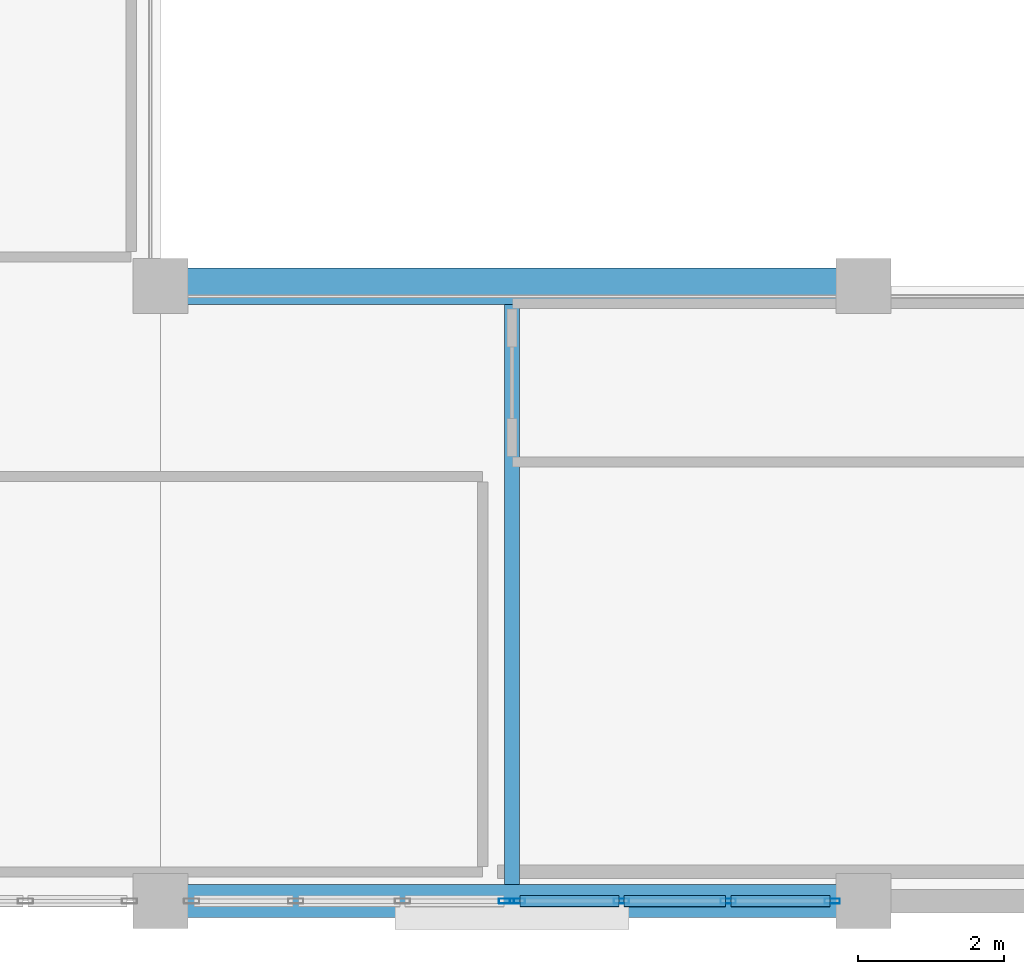
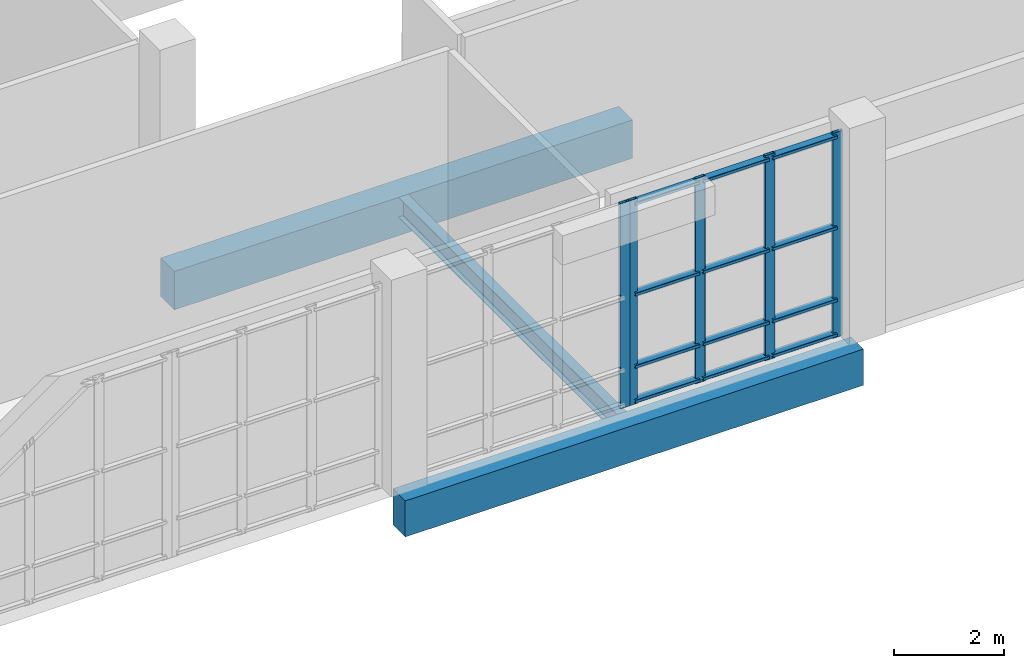
# One storey, part 43 of 106: 17 members, 3 beams, 2 elements without a shape of their own.
"""IFC4 building model written with IfcOpenShell, lengths in metres."""

import ifcopenshell
import ifcopenshell.guid

model = None  # the IFC model being written
_history = None  # IfcOwnerHistory: only IFC2X3 demands one
_inside = {}  # id of a spatial element -> (the spatial element, [elements in it])
_under = {}  # id of a project, library or spatial element -> (it, [spatial elements below it])
_declared = {}  # id of a project -> (the project, [libraries it declares])
_typed = {}  # id of a type object -> (the type object, [elements of that type])
_made_of = {}  # id of a material, layer set ... -> (it, [elements and type objects made of it])


def new_model(schema):
    """Start an empty IFC model of exactly this schema.

    Asked for "IFC4X3", IfcOpenShell would pick the latest addendum, in which some entities
    have other attributes; the version numbers below select the first issue.
    IFC2X3 requires an IfcOwnerHistory on every rooted entity: one is made here for all.
    """
    global model, _history
    if schema == "IFC4X3":
        model = ifcopenshell.file(schema_version=(4, 3, 0, 0))
    else:
        model = ifcopenshell.file(schema=schema)
    _inside.clear()
    _under.clear()
    _declared.clear()
    _typed.clear()
    _made_of.clear()
    _history = None
    if model.schema == "IFC2X3":
        org = make("IfcOrganization", Name="unknown")
        user = make(
            "IfcPersonAndOrganization",
            ThePerson=make("IfcPerson", FamilyName="unknown"),
            TheOrganization=org,
        )
        app = make(
            "IfcApplication",
            ApplicationDeveloper=org,
            Version="unknown",
            ApplicationFullName="unknown",
            ApplicationIdentifier="unknown",
        )
        _history = make(
            "IfcOwnerHistory",
            OwningUser=user,
            OwningApplication=app,
            ChangeAction="ADDED",
            CreationDate=0,
        )
    return model


def make(cls, **values):
    """One entity of the class cls with the attributes given. An attribute that is None is left unset."""
    return model.create_entity(
        cls, **{name: value for name, value in values.items() if value is not None}
    )


def rooted(cls, **values):
    """An entity with a GlobalId (a new one), such as an element, a storey or a relation."""
    return make(cls, GlobalId=ifcopenshell.guid.new(), OwnerHistory=_history, **values)


def si_unit(unit_type, name, prefix=None):
    """IfcSIUnit, for example si_unit("LENGTHUNIT", "METRE", prefix="MILLI")."""
    return make("IfcSIUnit", UnitType=unit_type, Prefix=prefix, Name=name)


def assignment(units):
    """IfcUnitAssignment: the units of a project."""
    return None if units is None else make("IfcUnitAssignment", Units=units)


def point(xyz):
    """IfcCartesianPoint."""
    return None if xyz is None else make("IfcCartesianPoint", Coordinates=xyz)


def direction(xyz):
    """IfcDirection."""
    return None if xyz is None else make("IfcDirection", DirectionRatios=xyz)


def frame(location, z_axis=None, x_axis=None):
    """IfcAxis2Placement3D, a coordinate frame: its origin and axes. An axis left out is left unset."""
    return make(
        "IfcAxis2Placement3D",
        Location=point(location),
        Axis=direction(z_axis),
        RefDirection=direction(x_axis),
    )


def frame_2d(location, x_axis=None):
    """IfcAxis2Placement2D, a coordinate frame in the plane: its origin and x axis."""
    return make(
        "IfcAxis2Placement2D", Location=point(location), RefDirection=direction(x_axis)
    )


def origin():
    """The frame at (0, 0, 0) with its axes left unset."""
    return frame((0.0, 0.0, 0.0))


def origin_2d():
    """The frame at (0, 0) in the plane with its x axis left unset."""
    return frame_2d((0.0, 0.0))


def place(relative_to, where):
    """IfcLocalPlacement: puts the frame where relative to a parent placement (None: the world)."""
    return make(
        "IfcLocalPlacement", PlacementRelTo=relative_to, RelativePlacement=where
    )


def context(
    kind, dimensions, precision=None, world=None, true_north=None, identifier=None
):
    """IfcGeometricRepresentationContext, for example the 3D "Model" context."""
    return make(
        "IfcGeometricRepresentationContext",
        ContextIdentifier=identifier,
        ContextType=kind,
        CoordinateSpaceDimension=dimensions,
        Precision=precision,
        WorldCoordinateSystem=world,
        TrueNorth=true_north,
    )


def subcontext(parent, identifier, kind, view, scale=None):
    """IfcGeometricRepresentationSubContext, for example "Body" below "Model"."""
    return make(
        "IfcGeometricRepresentationSubContext",
        ContextIdentifier=identifier,
        ContextType=kind,
        ParentContext=parent,
        TargetScale=scale,
        TargetView=view,
    )


def project(units=None, contexts=None):
    """IfcProject with its units and contexts."""
    return rooted(
        "IfcProject",
        Name="project",
        RepresentationContexts=contexts,
        UnitsInContext=assignment(units),
    )


def spatial(cls, under=None, at=None, **own):
    """A site, building, storey or space (cls), placed at a placement, below another one or the project."""
    s = rooted(cls, ObjectPlacement=at, **own)
    if under is not None:
        _under.setdefault(under.id(), (under, []))[1].append(s)
    return s


def profile(cls, at=None, kind="AREA", **sizes):
    """A parametric profile (cls). Its sizes go by their IFC names, for example OverallWidth=200.0."""
    return make(cls, ProfileType=kind, Position=at, **sizes)


def rectangle(**sizes):
    """IfcRectangleProfileDef."""
    return profile("IfcRectangleProfileDef", **sizes)


def hollow_rectangle(**sizes):
    """IfcRectangleHollowProfileDef."""
    return profile("IfcRectangleHollowProfileDef", **sizes)


def i_section(**sizes):
    """IfcIShapeProfileDef."""
    return profile("IfcIShapeProfileDef", **sizes)


def extrude(swept, where, along, depth):
    """IfcExtrudedAreaSolid: the profile swept, set in the frame where, extruded along a direction by depth."""
    return make(
        "IfcExtrudedAreaSolid",
        SweptArea=swept,
        Position=where,
        ExtrudedDirection=direction(along),
        Depth=depth,
    )


def shape(context_of_items, identifier, shape_type, items):
    """IfcShapeRepresentation: the items that make up one representation, for example the "Body"."""
    return make(
        "IfcShapeRepresentation",
        ContextOfItems=context_of_items,
        RepresentationIdentifier=identifier,
        RepresentationType=shape_type,
        Items=items,
    )


def material(Name=None, Category=None):
    """IfcMaterial."""
    return make("IfcMaterial", Name=Name, Category=Category)


def layer(
    of_material, thickness, ventilated=None, Name=None, Category=None, Priority=None
):
    """IfcMaterialLayer: one layer of a wall or slab, of a material (None: an air gap)."""
    return make(
        "IfcMaterialLayer",
        Material=of_material,
        LayerThickness=thickness,
        IsVentilated=ventilated,
        Name=Name,
        Category=Category,
        Priority=Priority,
    )


def layer_set(layers, Name=None):
    """IfcMaterialLayerSet."""
    return make("IfcMaterialLayerSet", MaterialLayers=layers, LayerSetName=Name)


def material_profile(
    of_material, cross_section, Name=None, Category=None, Priority=None
):
    """IfcMaterialProfile: a cross section and its material."""
    return make(
        "IfcMaterialProfile",
        Name=Name,
        Material=of_material,
        Profile=cross_section,
        Priority=Priority,
        Category=Category,
    )


def profile_set(profiles, Name=None, composite=None):
    """IfcMaterialProfileSet."""
    return make(
        "IfcMaterialProfileSet",
        Name=Name,
        MaterialProfiles=profiles,
        CompositeProfile=composite,
    )


def made_of(thing, what):
    """Note that an element or type object is made of a material, layer set ...; save() writes the relation."""
    if what is not None:
        _made_of.setdefault(what.id(), (what, []))[1].append(thing)
    return thing


def type_object(cls, material=None, **own):
    """A type object (cls), such as IfcWallType, which elements share."""
    return made_of(rooted(cls, **own), material)


def element(
    cls,
    number,
    at=None,
    inside=None,
    cuts=None,
    type_object=None,
    material=None,
    context=None,
    identifier="Body",
    shape_type=None,
    held_by="IfcProductDefinitionShape",
    body=None,
    shapes=None,
    **own,
):
    """One element of the class cls, such as IfcWall. Its Tag is "e" and its number.

    at: its placement. inside: the storey or other place that contains it. cuts: it is an
    opening in that element (IfcRelVoidsElement). A single representation is given by context,
    identifier, shape_type and body (its items); several are given by shapes. held_by: the class
    of the entity that holds the representations. save() writes the other relations.
    """
    e = rooted(cls, Tag="e%d" % number, ObjectPlacement=at, **own)
    if body is not None:
        shapes = [shape(context, identifier, shape_type, body)]
    if shapes is not None:
        e.Representation = make(held_by, Representations=shapes)
    if inside is not None:
        _inside.setdefault(inside.id(), (inside, []))[1].append(e)
    if cuts is not None:
        rooted(
            "IfcRelVoidsElement", RelatingBuildingElement=cuts, RelatedOpeningElement=e
        )
    if type_object is not None:
        _typed.setdefault(type_object.id(), (type_object, []))[1].append(e)
    return made_of(e, material)


def aggregate(whole, parts):
    """IfcRelAggregates: a whole, such as a stair, and the parts it consists of."""
    return rooted("IfcRelAggregates", RelatingObject=whole, RelatedObjects=parts)


def save(model, path):
    """Write the relations noted so far, then the file.

    IfcRelAggregates (storeys below a building ...), IfcRelContainedInSpatialStructure (elements
    in a storey), IfcRelDefinesByType, IfcRelAssociatesMaterial and IfcRelDeclares: one each for
    every whole, place, type object, material and project.
    """
    for whole, parts in _under.values():
        aggregate(whole, parts)
    for where, things in _inside.values():
        rooted(
            "IfcRelContainedInSpatialStructure",
            RelatedElements=things,
            RelatingStructure=where,
        )
    for kind, things in _typed.values():
        rooted("IfcRelDefinesByType", RelatedObjects=things, RelatingType=kind)
    for what, things in _made_of.values():
        rooted("IfcRelAssociatesMaterial", RelatedObjects=things, RelatingMaterial=what)
    for by, libraries in _declared.values():
        rooted("IfcRelDeclares", RelatingContext=by, RelatedDefinitions=libraries)
    model.write(path)


model = new_model("IFC4")

# Units and contexts
model_context = context("Model", 3, precision=1e-05, world=origin(), true_north=direction((0.0, 1.0)))
body_context = subcontext(model_context, "Body", "Model", "MODEL_VIEW")
ifc_project = project(units=[si_unit("LENGTHUNIT", "METRE"), si_unit("AREAUNIT", "SQUARE_METRE"), si_unit("VOLUMEUNIT", "CUBIC_METRE"), si_unit("PLANEANGLEUNIT", "RADIAN"), si_unit("MASSUNIT", "GRAM", prefix="KILO")], contexts=[model_context])

# Site, building, storey
site_placement = place(None, origin())
site = spatial("IfcSite", under=ifc_project, at=site_placement, CompositionType="ELEMENT")
building_placement = place(site_placement, origin())
building = spatial("IfcBuilding", under=site, at=building_placement, Name="Kisaragi Civic Commons", CompositionType="ELEMENT")
storey_placement = place(building_placement, frame((0.0, 0.0, 4.800048828125)))
storey = spatial("IfcBuildingStorey", under=building, at=storey_placement, Name="L01", CompositionType="ELEMENT", Elevation=4.800048828125)

# Curtain wall, members
ifc_material_1 = material(Name="Thermally broken anodized aluminium and low-E double glazing", Category="aluminium")
ifc_layer = layer(ifc_material_1, 0.2099609375, Name="Thermally broken anodized aluminium and low-E double glazing", Category="aluminium")
ifc_layer_set = layer_set([ifc_layer], Name="Thermally broken anodized aluminium and low-E double glazing")
curtain_wall_type = type_object("IfcCurtainWallType", Name="CW-02", PredefinedType="NOTDEFINED", material=ifc_layer_set)
curtain_wall_1_placement = place(storey_placement, origin())
curtain_wall_1 = element("IfcCurtainWall", 1, at=curtain_wall_1_placement, inside=storey, type_object=curtain_wall_type, Name="L01 curtain wall CW-02 CW-V3-L01-031", PredefinedType="NOTDEFINED")
ifc_material_profile_1 = material_profile(ifc_material_1, hollow_rectangle(XDim=0.070068359375, YDim=0.2099609375, WallThickness=0.0048828125, InnerFilletRadius=0.0048828125, OuterFilletRadius=0.010009765625, at=origin_2d()), Name="CWM-70x210x5", Category="aluminium")
ifc_profile_set_1 = profile_set([ifc_material_profile_1], Name="Thermally broken anodized aluminium and low-E double glazing")
member_type_1 = type_object("IfcMemberType", Name="CWM-03", PredefinedType="MULLION", material=ifc_profile_set_1)
member_1_placement = place(storey_placement, frame((132.77490234375, 0.0, 0.0), z_axis=(0.0, 0.0, 1.0), x_axis=(0.0, -1.0, 0.0)))
member_1 = element("IfcMember", 2, at=member_1_placement, type_object=member_type_1, Name="CW-02 mullion 1", PredefinedType="MULLION", context=body_context, shape_type="SweptSolid", body=[
    extrude(hollow_rectangle(XDim=0.070068359375, YDim=0.2099609375, WallThickness=0.0048828125, InnerFilletRadius=0.0048828125, OuterFilletRadius=0.010009765625, at=origin_2d()), origin(), (0.0, 0.0, 1.0), 4.5400390625),
])
member_2_placement = place(storey_placement, frame((131.353271484375, 0.0, 0.0), z_axis=(0.0, 0.0, 1.0), x_axis=(0.0, -1.0, 0.0)))
member_2 = element("IfcMember", 3, at=member_2_placement, type_object=member_type_1, Name="CW-02 mullion 2", PredefinedType="MULLION", context=body_context, shape_type="SweptSolid", body=[
    extrude(hollow_rectangle(XDim=0.070068359375, YDim=0.2099609375, WallThickness=0.0048828125, InnerFilletRadius=0.0048828125, OuterFilletRadius=0.010009765625, at=origin_2d()), origin(), (0.0, 0.0, 1.0), 4.5400390625),
])
member_3_placement = place(storey_placement, frame((129.896728515625, 0.0, 0.0), z_axis=(0.0, 0.0, 1.0), x_axis=(0.0, -1.0, 0.0)))
member_3 = element("IfcMember", 4, at=member_3_placement, type_object=member_type_1, Name="CW-02 mullion 3", PredefinedType="MULLION", context=body_context, shape_type="SweptSolid", body=[
    extrude(hollow_rectangle(XDim=0.070068359375, YDim=0.2099609375, WallThickness=0.0048828125, InnerFilletRadius=0.0048828125, OuterFilletRadius=0.010009765625, at=origin_2d()), origin(), (0.0, 0.0, 1.0), 4.5400390625),
])
member_4_placement = place(storey_placement, frame((128.47509765625, 0.0, 0.0), z_axis=(0.0, 0.0, 1.0), x_axis=(0.0, -1.0, 0.0)))
member_4 = element("IfcMember", 5, at=member_4_placement, type_object=member_type_1, Name="CW-02 mullion 4", PredefinedType="MULLION", context=body_context, shape_type="SweptSolid", body=[
    extrude(hollow_rectangle(XDim=0.070068359375, YDim=0.2099609375, WallThickness=0.0048828125, InnerFilletRadius=0.0048828125, OuterFilletRadius=0.010009765625, at=origin_2d()), origin(), (0.0, 0.0, 1.0), 4.5400390625),
])

# Curtain wall, member
curtain_wall_2_placement = place(storey_placement, origin())
curtain_wall_2 = element("IfcCurtainWall", 6, at=curtain_wall_2_placement, inside=storey, type_object=curtain_wall_type, Name="L01 curtain wall CW-02 CW-V3-L01-032", PredefinedType="NOTDEFINED")
member_5_placement = place(storey_placement, frame((128.324951171875, 0.0, 0.0), z_axis=(0.0, 0.0, 1.0), x_axis=(0.0, -1.0, 0.0)))
member_5 = element("IfcMember", 7, at=member_5_placement, type_object=member_type_1, Name="CW-02 mullion 1", PredefinedType="MULLION", context=body_context, shape_type="SweptSolid", body=[
    extrude(hollow_rectangle(XDim=0.070068359375, YDim=0.2099609375, WallThickness=0.0048828125, InnerFilletRadius=0.0048828125, OuterFilletRadius=0.010009765625, at=origin_2d()), origin(), (0.0, 0.0, 1.0), 4.5400390625),
])
aggregate(curtain_wall_2, [member_5])

# Member
ifc_material_profile_2 = material_profile(ifc_material_1, hollow_rectangle(XDim=0.159912109375, YDim=0.070068359375, WallThickness=0.0048828125, InnerFilletRadius=0.0048828125, OuterFilletRadius=0.010009765625, at=origin_2d()), Name="CWT-70x160x5", Category="aluminium")
ifc_profile_set_2 = profile_set([ifc_material_profile_2], Name="Thermally broken anodized aluminium and low-E double glazing")
member_type_2 = type_object("IfcMemberType", Name="CWT-03", PredefinedType="USERDEFINED", material=ifc_profile_set_2)
member_6_placement = place(storey_placement, frame((132.739990234375, 0.0, 0.079833984375), z_axis=(-1.0, 0.0, 0.0), x_axis=(0.0, -1.0, 0.0)))
member_6 = element("IfcMember", 8, at=member_6_placement, type_object=member_type_2, Name="CW-02 transom 1.1", ObjectType="TRANSOM", PredefinedType="USERDEFINED", context=body_context, shape_type="SweptSolid", body=[
    extrude(hollow_rectangle(XDim=0.159912109375, YDim=0.070068359375, WallThickness=0.0048828125, InnerFilletRadius=0.0048828125, OuterFilletRadius=0.010009765625, at=origin_2d()), origin(), (0.0, 0.0, 1.0), 1.3515625),
])

member_7_placement = place(storey_placement, frame((132.739990234375, 0.0, 0.849853515625), z_axis=(-1.0, 0.0, 0.0), x_axis=(0.0, -1.0, 0.0)))
member_7 = element("IfcMember", 9, at=member_7_placement, type_object=member_type_2, Name="CW-02 transom 1.2", ObjectType="TRANSOM", PredefinedType="USERDEFINED", context=body_context, shape_type="SweptSolid", body=[
    extrude(hollow_rectangle(XDim=0.159912109375, YDim=0.070068359375, WallThickness=0.0048828125, InnerFilletRadius=0.0048828125, OuterFilletRadius=0.010009765625, at=origin_2d()), origin(), (0.0, 0.0, 1.0), 1.3515625),
])

member_8_placement = place(storey_placement, frame((132.739990234375, 0.0, 2.449951171875), z_axis=(-1.0, 0.0, 0.0), x_axis=(0.0, -1.0, 0.0)))
member_8 = element("IfcMember", 10, at=member_8_placement, type_object=member_type_2, Name="CW-02 transom 1.3", ObjectType="TRANSOM", PredefinedType="USERDEFINED", context=body_context, shape_type="SweptSolid", body=[
    extrude(hollow_rectangle(XDim=0.159912109375, YDim=0.070068359375, WallThickness=0.0048828125, InnerFilletRadius=0.0048828125, OuterFilletRadius=0.010009765625, at=origin_2d()), origin(), (0.0, 0.0, 1.0), 1.3515625),
])

member_9_placement = place(storey_placement, frame((132.739990234375, 0.0, 4.4599609375), z_axis=(-1.0, 0.0, 0.0), x_axis=(0.0, -1.0, 0.0)))
member_9 = element("IfcMember", 11, at=member_9_placement, type_object=member_type_2, Name="CW-02 transom 1.4", ObjectType="TRANSOM", PredefinedType="USERDEFINED", context=body_context, shape_type="SweptSolid", body=[
    extrude(hollow_rectangle(XDim=0.159912109375, YDim=0.070068359375, WallThickness=0.0048828125, InnerFilletRadius=0.0048828125, OuterFilletRadius=0.010009765625, at=origin_2d()), origin(), (0.0, 0.0, 1.0), 1.3515625),
])

member_10_placement = place(storey_placement, frame((131.318359375, 0.0, 0.079833984375), z_axis=(-1.0, 0.0, 0.0), x_axis=(0.0, -1.0, 0.0)))
member_10 = element("IfcMember", 12, at=member_10_placement, type_object=member_type_2, Name="CW-02 transom 2.1", ObjectType="TRANSOM", PredefinedType="USERDEFINED", context=body_context, shape_type="SweptSolid", body=[
    extrude(hollow_rectangle(XDim=0.159912109375, YDim=0.070068359375, WallThickness=0.0048828125, InnerFilletRadius=0.0048828125, OuterFilletRadius=0.010009765625, at=origin_2d()), origin(), (0.0, 0.0, 1.0), 1.38671875),
])

member_11_placement = place(storey_placement, frame((131.318359375, 0.0, 0.849853515625), z_axis=(-1.0, 0.0, 0.0), x_axis=(0.0, -1.0, 0.0)))
member_11 = element("IfcMember", 13, at=member_11_placement, type_object=member_type_2, Name="CW-02 transom 2.2", ObjectType="TRANSOM", PredefinedType="USERDEFINED", context=body_context, shape_type="SweptSolid", body=[
    extrude(hollow_rectangle(XDim=0.159912109375, YDim=0.070068359375, WallThickness=0.0048828125, InnerFilletRadius=0.0048828125, OuterFilletRadius=0.010009765625, at=origin_2d()), origin(), (0.0, 0.0, 1.0), 1.38671875),
])

member_12_placement = place(storey_placement, frame((131.318359375, 0.0, 2.449951171875), z_axis=(-1.0, 0.0, 0.0), x_axis=(0.0, -1.0, 0.0)))
member_12 = element("IfcMember", 14, at=member_12_placement, type_object=member_type_2, Name="CW-02 transom 2.3", ObjectType="TRANSOM", PredefinedType="USERDEFINED", context=body_context, shape_type="SweptSolid", body=[
    extrude(hollow_rectangle(XDim=0.159912109375, YDim=0.070068359375, WallThickness=0.0048828125, InnerFilletRadius=0.0048828125, OuterFilletRadius=0.010009765625, at=origin_2d()), origin(), (0.0, 0.0, 1.0), 1.38671875),
])

member_13_placement = place(storey_placement, frame((131.318359375, 0.0, 4.4599609375), z_axis=(-1.0, 0.0, 0.0), x_axis=(0.0, -1.0, 0.0)))
member_13 = element("IfcMember", 15, at=member_13_placement, type_object=member_type_2, Name="CW-02 transom 2.4", ObjectType="TRANSOM", PredefinedType="USERDEFINED", context=body_context, shape_type="SweptSolid", body=[
    extrude(hollow_rectangle(XDim=0.159912109375, YDim=0.070068359375, WallThickness=0.0048828125, InnerFilletRadius=0.0048828125, OuterFilletRadius=0.010009765625, at=origin_2d()), origin(), (0.0, 0.0, 1.0), 1.38671875),
])

member_14_placement = place(storey_placement, frame((129.861572265625, 0.0, 0.079833984375), z_axis=(-1.0, 0.0, 0.0), x_axis=(0.0, -1.0, 0.0)))
member_14 = element("IfcMember", 16, at=member_14_placement, type_object=member_type_2, Name="CW-02 transom 3.1", ObjectType="TRANSOM", PredefinedType="USERDEFINED", context=body_context, shape_type="SweptSolid", body=[
    extrude(hollow_rectangle(XDim=0.159912109375, YDim=0.070068359375, WallThickness=0.0048828125, InnerFilletRadius=0.0048828125, OuterFilletRadius=0.010009765625, at=origin_2d()), origin(), (0.0, 0.0, 1.0), 1.3515625),
])

member_15_placement = place(storey_placement, frame((129.861572265625, 0.0, 0.849853515625), z_axis=(-1.0, 0.0, 0.0), x_axis=(0.0, -1.0, 0.0)))
member_15 = element("IfcMember", 17, at=member_15_placement, type_object=member_type_2, Name="CW-02 transom 3.2", ObjectType="TRANSOM", PredefinedType="USERDEFINED", context=body_context, shape_type="SweptSolid", body=[
    extrude(hollow_rectangle(XDim=0.159912109375, YDim=0.070068359375, WallThickness=0.0048828125, InnerFilletRadius=0.0048828125, OuterFilletRadius=0.010009765625, at=origin_2d()), origin(), (0.0, 0.0, 1.0), 1.3515625),
])

member_16_placement = place(storey_placement, frame((129.861572265625, 0.0, 2.449951171875), z_axis=(-1.0, 0.0, 0.0), x_axis=(0.0, -1.0, 0.0)))
member_16 = element("IfcMember", 18, at=member_16_placement, type_object=member_type_2, Name="CW-02 transom 3.3", ObjectType="TRANSOM", PredefinedType="USERDEFINED", context=body_context, shape_type="SweptSolid", body=[
    extrude(hollow_rectangle(XDim=0.159912109375, YDim=0.070068359375, WallThickness=0.0048828125, InnerFilletRadius=0.0048828125, OuterFilletRadius=0.010009765625, at=origin_2d()), origin(), (0.0, 0.0, 1.0), 1.3515625),
])

member_17_placement = place(storey_placement, frame((129.861572265625, 0.0, 4.4599609375), z_axis=(-1.0, 0.0, 0.0), x_axis=(0.0, -1.0, 0.0)))
member_17 = element("IfcMember", 19, at=member_17_placement, type_object=member_type_2, Name="CW-02 transom 3.4", ObjectType="TRANSOM", PredefinedType="USERDEFINED", context=body_context, shape_type="SweptSolid", body=[
    extrude(hollow_rectangle(XDim=0.159912109375, YDim=0.070068359375, WallThickness=0.0048828125, InnerFilletRadius=0.0048828125, OuterFilletRadius=0.010009765625, at=origin_2d()), origin(), (0.0, 0.0, 1.0), 1.3515625),
])

aggregate(curtain_wall_1, [member_1, member_2, member_3, member_4, member_6, member_7, member_8, member_9, member_10, member_11, member_12, member_13, member_14, member_15, member_16, member_17])

# Beams
ifc_material_2 = material(Name="Concrete Fc30", Category="concrete")
ifc_material_profile_3 = material_profile(ifc_material_2, rectangle(XDim=0.5, YDim=0.85009765625, at=origin_2d()), Name="RC-500x850", Category="concrete")
ifc_profile_set_3 = profile_set([ifc_material_profile_3], Name="Concrete Fc30")
beam_type_1 = type_object("IfcBeamType", Name="G-02", PredefinedType="BEAM", material=ifc_profile_set_3)
beam_1_placement = place(storey_placement, frame((123.60009765625, 8.39990234375, -0.72998046875), z_axis=(1.0, 0.0, 0.0), x_axis=(0.0, 1.0, 0.0)))
element("IfcBeam", 20, at=beam_1_placement, inside=storey, type_object=beam_type_1, Name="L01 girder G-02 208", PredefinedType="BEAM", context=body_context, shape_type="SweptSolid", body=[
    extrude(rectangle(XDim=0.5, YDim=0.85009765625, at=origin_2d()), origin(), (0.0, 0.0, 1.0), 9.599853515625),
])
ifc_material_3 = material(Name="Steel SN490 (SN490B)", Category="steel")
ifc_material_profile_4 = material_profile(ifc_material_3, i_section(OverallWidth=0.199951171875, OverallDepth=0.449951171875, WebThickness=0.009033203125, FlangeThickness=0.013916015625, FilletRadius=0.012939453125, at=origin_2d()), Name="H-450x200x9x14", Category="steel")
ifc_profile_set_4 = profile_set([ifc_material_profile_4], Name="Steel SN490 (SN490B)")
beam_type_2 = type_object("IfcBeamType", Name="J-04", PredefinedType="JOIST", material=ifc_profile_set_4)
beam_2_placement = place(storey_placement, frame((128.39990234375, 0.22509765625, -0.530029296875), z_axis=(0.0, 1.0, 0.0), x_axis=(-1.0, 0.0, 0.0)))
element("IfcBeam", 21, at=beam_2_placement, inside=storey, type_object=beam_type_2, Name="L01 secondary steel joist J-04 45", PredefinedType="JOIST", context=body_context, shape_type="SweptSolid", body=[
    extrude(i_section(OverallWidth=0.199951171875, OverallDepth=0.449951171875, WebThickness=0.009033203125, FlangeThickness=0.013916015625, FilletRadius=0.012939453125, at=origin_2d()), origin(), (0.0, 0.0, 1.0), 7.9248046875),
])
ifc_material_profile_5 = material_profile(ifc_material_2, rectangle(XDim=0.449951171875, YDim=0.800048828125, at=origin_2d()), Name="RC-450x800", Category="concrete")
ifc_profile_set_5 = profile_set([ifc_material_profile_5], Name="Concrete Fc30")
beam_type_3 = type_object("IfcBeamType", Name="SPB-01", PredefinedType="SPANDREL", material=ifc_profile_set_5)
beam_3_placement = place(storey_placement, frame((123.60009765625, 0.0, -0.705078125), z_axis=(1.0, 0.0, 0.0), x_axis=(0.0, 1.0, 0.0)))
element("IfcBeam", 22, at=beam_3_placement, inside=storey, type_object=beam_type_3, Name="L01 girder SPB-01 205", PredefinedType="SPANDREL", context=body_context, shape_type="SweptSolid", body=[
    extrude(rectangle(XDim=0.449951171875, YDim=0.800048828125, at=origin_2d()), origin(), (0.0, 0.0, 1.0), 9.599853515625),
])

save(model, "model.ifc")
